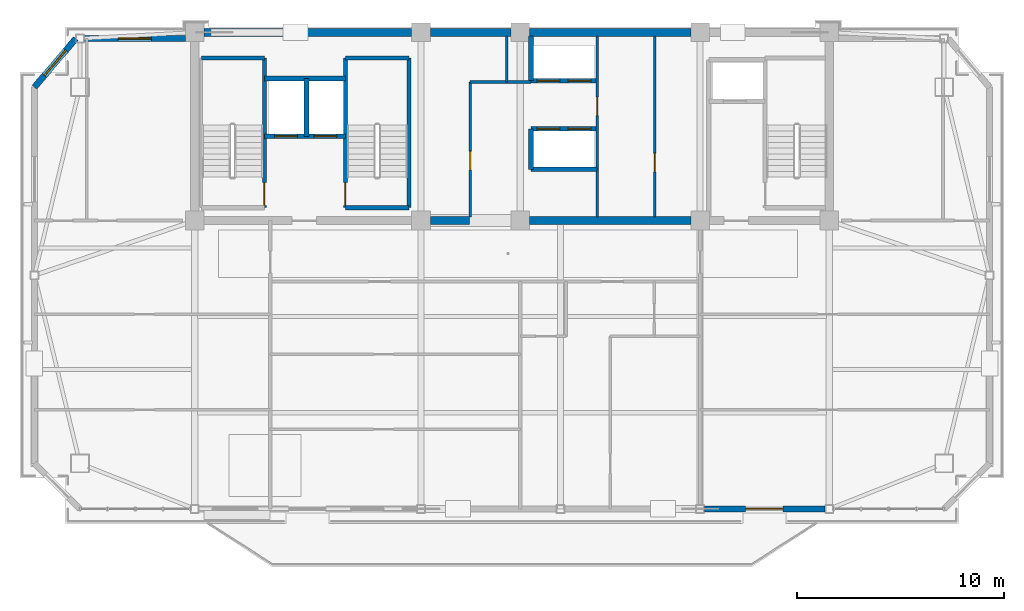
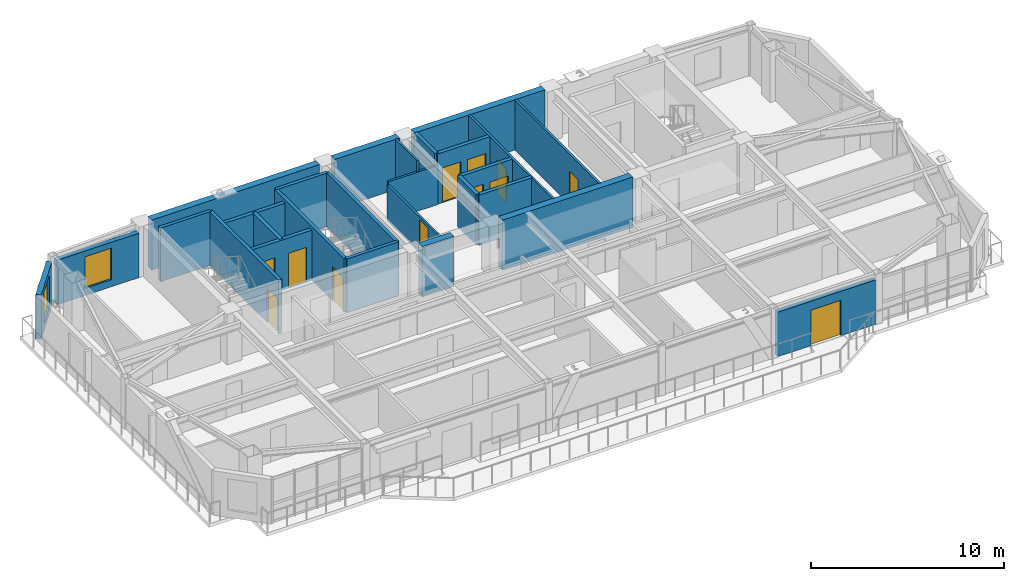
# One storey, part 7 of 12: 27 walls, 12 doors, 2 windows, 14 openings.
"""IFC4 building model written with IfcOpenShell, lengths in metres."""

from ifc_helpers import new_model, si_unit, direction, frame, frame_2d, origin, place, context, subcontext, project, spatial, rectangle, extrude, source, transform, mapped, material, layer, layer_set, type_object, element, fill, save


model = new_model("IFC4")

# Units and contexts
model_context = context("Model", 3, precision=1e-05, world=origin(), true_north=direction((0.0, 1.0)))
body_context = subcontext(model_context, "Body", "Model", "MODEL_VIEW")
ifc_project = project(units=[si_unit("LENGTHUNIT", "METRE"), si_unit("AREAUNIT", "SQUARE_METRE"), si_unit("VOLUMEUNIT", "CUBIC_METRE"), si_unit("PLANEANGLEUNIT", "RADIAN"), si_unit("MASSUNIT", "GRAM", prefix="KILO")], contexts=[model_context])

# Site, building, storey
site_placement = place(None, origin())
site = spatial("IfcSite", under=ifc_project, at=site_placement, CompositionType="ELEMENT")
building_placement = place(site_placement, origin())
building = spatial("IfcBuilding", under=site, at=building_placement, Name="Giltprow Tower", CompositionType="ELEMENT")
storey_placement = place(building_placement, frame((0.0, 0.0, 345.89990234375)))
storey = spatial("IfcBuildingStorey", under=building, at=storey_placement, Name="L90", CompositionType="ELEMENT", Elevation=345.89990234375)

# Wall, opening, window
ifc_material_1 = material(Name="Precast concrete C40", Category="concrete")
ifc_layer_1 = layer(ifc_material_1, 0.300048828125, Name="Precast concrete C40")
ifc_layer_set_1 = layer_set([ifc_layer_1], Name="Precast concrete C40")
wall_type_1 = type_object("IfcWallType", Name="EW-NOTCH-CHAMFER-300", PredefinedType="SOLIDWALL", material=ifc_layer_set_1)
wall_1_placement = place(storey_placement, frame((14.10009765625, 46.25, 0.0), z_axis=(0.0, 0.0, 1.0), x_axis=(-0.648103010114, -0.761552682538, 0.0)))
wall_1 = element("IfcWall", 1, at=wall_1_placement, inside=storey, type_object=wall_type_1, Name="L90 Corner Notch Wall NW", PredefinedType="SOLIDWALL", context=body_context, shape_type="SweptSolid", body=[
    extrude(rectangle(XDim=3.0859375, YDim=0.300048828125, at=frame_2d((1.54296875, 0.0))), origin(), (0.0, 0.0, 1.0), 2.815185546875),
])
opening_1_placement = place(wall_1_placement, frame((0.742919921875, 0.0, 0.449951171875)))
opening_1 = element("IfcOpeningElement", 2, at=opening_1_placement, cuts=wall_1, Name="Opening WN17", PredefinedType="OPENING", context=body_context, shape_type="SweptSolid", body=[
    extrude(rectangle(XDim=1.60009765625, YDim=2.0, at=frame_2d((0.800048828125, 1.0))), frame((0.0, 0.159912109375, 0.0), z_axis=(0.0, -1.0, 0.0), x_axis=(1.0, 0.0, 0.0)), (0.0, 0.0, 1.0), 0.320068359375),
])
ifc_material_2 = material(Name="Insulated glass", Category="glass")
window_type = type_object("IfcWindowType", Name="WN-COR-1600x2000", PartitioningType="SINGLE_PANEL", PredefinedType="WINDOW", material=ifc_material_2)
shared_shape_1 = source(origin(), body_context, "Body", "SweptSolid", [
    extrude(rectangle(XDim=1.60009765625, YDim=2.0, at=frame_2d((0.800048828125, 1.0))), frame((0.0, 0.030029296875, 0.0), z_axis=(0.0, -1.0, 0.0), x_axis=(1.0, 0.0, 0.0)), (0.0, 0.0, 1.0), 0.06005859375),
])
window_1_placement = place(opening_1_placement, origin())
window_1 = element("IfcWindow", 3, at=window_1_placement, inside=storey, type_object=window_type, Name="L90 Corner Notch Window NW", OverallHeight=2.0, OverallWidth=1.60009765625, PartitioningType="SINGLE_PANEL", PredefinedType="WINDOW", context=body_context, shape_type="MappedRepresentation", body=[
    mapped(shared_shape_1, transform((0.0, 0.0, 0.0), x_axis=(1.0, 0.0, 0.0), y_axis=(0.0, 1.0, 0.0), z_axis=(0.0, 0.0, 1.0), scale=1.0)),
])
fill(opening_1, window_1)

# Wall, opening, door
ifc_layer_2 = layer(ifc_material_1, 0.280029296875, Name="Precast concrete C40")
ifc_layer_set_2 = layer_set([ifc_layer_2], Name="Precast concrete C40")
wall_type_2 = type_object("IfcWallType", Name="EW-TOW-BRONZE-280", PredefinedType="SOLIDWALL", material=ifc_layer_set_2)
wall_2_placement = place(storey_placement, frame((44.5, 23.5, 0.0), z_axis=(0.0, 0.0, 1.0), x_axis=(1.0, 0.0, 0.0)))
wall_2 = element("IfcWall", 4, at=wall_2_placement, inside=storey, type_object=wall_type_2, Name="L90 South Expressed Frame Wall 5", PredefinedType="SOLIDWALL", context=body_context, shape_type="SweptSolid", body=[
    extrude(rectangle(XDim=5.85009765625, YDim=0.280029296875, at=frame_2d((2.925048828125, 0.0))), origin(), (0.0, 0.0, 1.0), 2.815185546875),
])
opening_2_placement = place(wall_2_placement, frame((2.0, 0.0, 0.0)))
opening_2 = element("IfcOpeningElement", 5, at=opening_2_placement, cuts=wall_2, Name="Opening ED25", PredefinedType="OPENING", context=body_context, shape_type="SweptSolid", body=[
    extrude(rectangle(XDim=1.800048828125, YDim=2.25, at=frame_2d((0.89990234375, 1.125))), frame((0.0, 0.14990234375, 0.0), z_axis=(0.0, -1.0, 0.0), x_axis=(1.0, 0.0, 0.0)), (0.0, 0.0, 1.0), 0.300048828125),
])
ifc_material_3 = material(Name="Anodized bronze and glass", Category="glass")
door_type_1 = type_object("IfcDoorType", Name="DR-BALC-SLIDE-1800", OperationType="SLIDING_TO_LEFT", PredefinedType="DOOR", material=ifc_material_3)
shared_shape_2 = source(origin(), body_context, "Body", "SweptSolid", [
    extrude(rectangle(XDim=1.800048828125, YDim=2.25, at=frame_2d((0.89990234375, 1.125))), frame((0.0, 0.02490234375, 0.0), z_axis=(0.0, -1.0, 0.0), x_axis=(1.0, 0.0, 0.0)), (0.0, 0.0, 1.0), 0.050048828125),
])
door_1_placement = place(opening_2_placement, origin())
door_1 = element("IfcDoor", 6, at=door_1_placement, inside=storey, type_object=door_type_1, Name="L90 Waterfront Balcony Sliding Door 2", OperationType="SLIDING_TO_LEFT", OverallHeight=2.25, OverallWidth=1.800048828125, PredefinedType="DOOR", context=body_context, shape_type="MappedRepresentation", body=[
    mapped(shared_shape_2, transform((0.0, 0.0, 0.0), x_axis=(1.0, 0.0, 0.0), y_axis=(0.0, 1.0, 0.0), z_axis=(0.0, 0.0, 1.0), scale=1.0)),
])
fill(opening_2, door_1)

# Wall, opening, window
wall_3_placement = place(storey_placement, frame((14.5, 46.25, 0.0), z_axis=(0.0, 0.0, 1.0), x_axis=(1.0, 0.0, 0.0)))
wall_3 = element("IfcWall", 7, at=wall_3_placement, inside=storey, type_object=wall_type_2, Name="L90 North-West Wing Wall", PredefinedType="SOLIDWALL", context=body_context, shape_type="SweptSolid", body=[
    extrude(rectangle(XDim=4.89990234375, YDim=0.280029296875, at=frame_2d((2.449951171875, 0.0))), origin(), (0.0, 0.0, 1.0), 2.815185546875),
])
opening_3_placement = place(wall_3_placement, frame((1.64990234375, 0.0, 0.449951171875)))
opening_3 = element("IfcOpeningElement", 8, at=opening_3_placement, cuts=wall_3, Name="Opening WN17", PredefinedType="OPENING", context=body_context, shape_type="SweptSolid", body=[
    extrude(rectangle(XDim=1.60009765625, YDim=2.0, at=frame_2d((0.800048828125, 1.0))), frame((0.0, 0.14990234375, 0.0), z_axis=(0.0, -1.0, 0.0), x_axis=(1.0, 0.0, 0.0)), (0.0, 0.0, 1.0), 0.300048828125),
])
window_2_placement = place(opening_3_placement, origin())
window_2 = element("IfcWindow", 9, at=window_2_placement, inside=storey, type_object=window_type, Name="L90 North-West Window", OverallHeight=2.0, OverallWidth=1.60009765625, PartitioningType="SINGLE_PANEL", PredefinedType="WINDOW", context=body_context, shape_type="MappedRepresentation", body=[
    mapped(shared_shape_1, transform((0.0, 0.0, 0.0), x_axis=(1.0, 0.0, 0.0), y_axis=(0.0, 1.0, 0.0), z_axis=(0.0, 0.0, 1.0), scale=1.0)),
])
fill(opening_3, window_2)

# Wall, openings, doors
ifc_material_4 = material(Name="Concrete C40", Category="concrete")
ifc_layer_3 = layer(ifc_material_4, 0.219970703125, Name="Concrete C40")
ifc_layer_set_3 = layer_set([ifc_layer_3], Name="Concrete C40")
wall_type_3 = type_object("IfcWallType", Name="IW-SHAFT-220", PredefinedType="SOLIDWALL", material=ifc_layer_set_3)
wall_4_placement = place(storey_placement, frame((23.219970703125, 41.52001953125, 0.0), z_axis=(0.0, 0.0, 1.0), x_axis=(1.0, 0.0, 0.0)))
wall_4 = element("IfcWall", 10, at=wall_4_placement, inside=storey, type_object=wall_type_3, Name="L90 FFL1 and Service Lift Front Wall", PredefinedType="SOLIDWALL", context=body_context, shape_type="SweptSolid", body=[
    extrude(rectangle(XDim=3.919921875, YDim=0.219970703125, at=frame_2d((1.9599609375, 0.0))), origin(), (0.0, 0.0, 1.0), 3.18505859375),
])
opening_4_placement = place(wall_4_placement, frame((0.5, 0.0, 0.0)))
opening_4 = element("IfcOpeningElement", 11, at=opening_4_placement, cuts=wall_4, Name="Opening LD-11", PredefinedType="OPENING", context=body_context, shape_type="SweptSolid", body=[
    extrude(rectangle(XDim=1.10009765625, YDim=2.199951171875, at=frame_2d((0.550048828125, 1.10009765625))), frame((0.0, 0.119873046875, 0.0), z_axis=(0.0, -1.0, 0.0), x_axis=(1.0, 0.0, 0.0)), (0.0, 0.0, 1.0), 0.239990234375),
])
opening_5_placement = place(wall_4_placement, frame((2.39990234375, 0.0, 0.0)))
opening_5 = element("IfcOpeningElement", 12, at=opening_5_placement, cuts=wall_4, Name="Opening LD-11", PredefinedType="OPENING", context=body_context, shape_type="SweptSolid", body=[
    extrude(rectangle(XDim=1.10009765625, YDim=2.199951171875, at=frame_2d((0.550048828125, 1.10009765625))), frame((0.0, 0.119873046875, 0.0), z_axis=(0.0, -1.0, 0.0), x_axis=(1.0, 0.0, 0.0)), (0.0, 0.0, 1.0), 0.239990234375),
])
ifc_material_5 = material(Name="Stainless steel", Category="steel")
door_type_2 = type_object("IfcDoorType", Name="DR-LIFT-LD1100", OperationType="SLIDING_TO_LEFT", PredefinedType="DOOR", material=ifc_material_5)
shared_shape_3 = source(origin(), body_context, "Body", "SweptSolid", [
    extrude(rectangle(XDim=1.10009765625, YDim=2.199951171875, at=frame_2d((0.550048828125, 1.10009765625))), frame((0.0, 0.02490234375, 0.0), z_axis=(0.0, -1.0, 0.0), x_axis=(1.0, 0.0, 0.0)), (0.0, 0.0, 1.0), 0.050048828125),
])
door_2_placement = place(opening_4_placement, origin())
door_2 = element("IfcDoor", 13, at=door_2_placement, inside=storey, type_object=door_type_2, Name="L90 FFL1 Landing Door", OperationType="SLIDING_TO_LEFT", OverallHeight=2.199951171875, OverallWidth=1.10009765625, PredefinedType="DOOR", context=body_context, shape_type="MappedRepresentation", body=[
    mapped(shared_shape_3, transform((0.0, 0.0, 0.0), x_axis=(1.0, 0.0, 0.0), y_axis=(0.0, 1.0, 0.0), z_axis=(0.0, 0.0, 1.0), scale=1.0)),
])
fill(opening_4, door_2)
door_3_placement = place(opening_5_placement, origin())
door_3 = element("IfcDoor", 14, at=door_3_placement, inside=storey, type_object=door_type_2, Name="L90 SVL1 Landing Door", OperationType="SLIDING_TO_LEFT", OverallHeight=2.199951171875, OverallWidth=1.10009765625, PredefinedType="DOOR", context=body_context, shape_type="MappedRepresentation", body=[
    mapped(shared_shape_3, transform((0.0, 0.0, 0.0), x_axis=(1.0, 0.0, 0.0), y_axis=(0.0, 1.0, 0.0), z_axis=(0.0, 0.0, 1.0), scale=1.0)),
])
fill(opening_5, door_3)

# Walls
wall_5_placement = place(storey_placement, frame((25.260009765625, 41.52001953125, 0.0), z_axis=(0.0, 0.0, 1.0), x_axis=(0.0, 1.0, 0.0)))
element("IfcWall", 15, at=wall_5_placement, inside=storey, type_object=wall_type_3, Name="L90 FFL1-SVL1 Shaft Divider", PredefinedType="SOLIDWALL", context=body_context, shape_type="SweptSolid", body=[
    extrude(rectangle(XDim=2.800048828125, YDim=0.219970703125, at=frame_2d((1.39990234375, 0.0))), origin(), (0.0, 0.0, 1.0), 3.18505859375),
])
wall_6_placement = place(storey_placement, frame((23.219970703125, 44.320068359375, 0.0), z_axis=(0.0, 0.0, 1.0), x_axis=(1.0, 0.0, 0.0)))
element("IfcWall", 16, at=wall_6_placement, inside=storey, type_object=wall_type_3, Name="L90 FFL1-SVL1 Back Shaft Wall", PredefinedType="SOLIDWALL", context=body_context, shape_type="SweptSolid", body=[
    extrude(rectangle(XDim=3.919921875, YDim=0.219970703125, at=frame_2d((1.9599609375, 0.0))), origin(), (0.0, 0.0, 1.0), 3.18505859375),
])

# Wall, openings, doors
wall_7_placement = place(storey_placement, frame((36.1201171875, 44.219970703125, 0.0), z_axis=(0.0, 0.0, 1.0), x_axis=(1.0, 0.0, 0.0)))
wall_7 = element("IfcWall", 17, at=wall_7_placement, inside=storey, type_object=wall_type_3, Name="L90 High-Rise Lift Shaft Front Wall N", PredefinedType="SOLIDWALL", context=body_context, shape_type="SweptSolid", body=[
    extrude(rectangle(XDim=3.199951171875, YDim=0.219970703125, at=frame_2d((1.60009765625, 0.0))), origin(), (0.0, 0.0, 1.0), 3.18505859375),
])
opening_6_placement = place(wall_7_placement, frame((0.300048828125, 0.0, 0.0)))
opening_6 = element("IfcOpeningElement", 18, at=opening_6_placement, cuts=wall_7, Name="Opening LD-11", PredefinedType="OPENING", context=body_context, shape_type="SweptSolid", body=[
    extrude(rectangle(XDim=1.10009765625, YDim=2.199951171875, at=frame_2d((0.550048828125, 1.10009765625))), frame((0.0, 0.119873046875, 0.0), z_axis=(0.0, -1.0, 0.0), x_axis=(1.0, 0.0, 0.0)), (0.0, 0.0, 1.0), 0.239990234375),
])
opening_7_placement = place(wall_7_placement, frame((1.7900390625, 0.0, 0.0)))
opening_7 = element("IfcOpeningElement", 19, at=opening_7_placement, cuts=wall_7, Name="Opening LD-11", PredefinedType="OPENING", context=body_context, shape_type="SweptSolid", body=[
    extrude(rectangle(XDim=1.10009765625, YDim=2.199951171875, at=frame_2d((0.550048828125, 1.10009765625))), frame((0.0, 0.119873046875, 0.0), z_axis=(0.0, -1.0, 0.0), x_axis=(1.0, 0.0, 0.0)), (0.0, 0.0, 1.0), 0.239990234375),
])
door_4_placement = place(opening_6_placement, origin())
door_4 = element("IfcDoor", 20, at=door_4_placement, inside=storey, type_object=door_type_2, Name="L90 PL-H1 Landing Door", OperationType="SLIDING_TO_LEFT", OverallHeight=2.199951171875, OverallWidth=1.10009765625, PredefinedType="DOOR", context=body_context, shape_type="MappedRepresentation", body=[
    mapped(shared_shape_3, transform((0.0, 0.0, 0.0), x_axis=(1.0, 0.0, 0.0), y_axis=(0.0, 1.0, 0.0), z_axis=(0.0, 0.0, 1.0), scale=1.0)),
])
fill(opening_6, door_4)
door_5_placement = place(opening_7_placement, origin())
door_5 = element("IfcDoor", 21, at=door_5_placement, inside=storey, type_object=door_type_2, Name="L90 PL-H2 Landing Door", OperationType="SLIDING_TO_LEFT", OverallHeight=2.199951171875, OverallWidth=1.10009765625, PredefinedType="DOOR", context=body_context, shape_type="MappedRepresentation", body=[
    mapped(shared_shape_3, transform((0.0, 0.0, 0.0), x_axis=(1.0, 0.0, 0.0), y_axis=(0.0, 1.0, 0.0), z_axis=(0.0, 0.0, 1.0), scale=1.0)),
])
fill(opening_7, door_5)

wall_8_placement = place(storey_placement, frame((36.1201171875, 41.8798828125, 0.0), z_axis=(0.0, 0.0, 1.0), x_axis=(1.0, 0.0, 0.0)))
wall_8 = element("IfcWall", 22, at=wall_8_placement, inside=storey, type_object=wall_type_3, Name="L90 High-Rise Lift Shaft Front Wall S", PredefinedType="SOLIDWALL", context=body_context, shape_type="SweptSolid", body=[
    extrude(rectangle(XDim=3.199951171875, YDim=0.219970703125, at=frame_2d((1.60009765625, 0.0))), origin(), (0.0, 0.0, 1.0), 3.18505859375),
])
opening_8_placement = place(wall_8_placement, frame((0.300048828125, 0.0, 0.0)))
opening_8 = element("IfcOpeningElement", 23, at=opening_8_placement, cuts=wall_8, Name="Opening LD-11", PredefinedType="OPENING", context=body_context, shape_type="SweptSolid", body=[
    extrude(rectangle(XDim=1.10009765625, YDim=2.199951171875, at=frame_2d((0.550048828125, 1.10009765625))), frame((0.0, 0.119873046875, 0.0), z_axis=(0.0, -1.0, 0.0), x_axis=(1.0, 0.0, 0.0)), (0.0, 0.0, 1.0), 0.239990234375),
])
opening_9_placement = place(wall_8_placement, frame((1.7900390625, 0.0, 0.0)))
opening_9 = element("IfcOpeningElement", 24, at=opening_9_placement, cuts=wall_8, Name="Opening LD-11", PredefinedType="OPENING", context=body_context, shape_type="SweptSolid", body=[
    extrude(rectangle(XDim=1.10009765625, YDim=2.199951171875, at=frame_2d((0.550048828125, 1.10009765625))), frame((0.0, 0.119873046875, 0.0), z_axis=(0.0, -1.0, 0.0), x_axis=(1.0, 0.0, 0.0)), (0.0, 0.0, 1.0), 0.239990234375),
])
door_6_placement = place(opening_8_placement, origin())
door_6 = element("IfcDoor", 25, at=door_6_placement, inside=storey, type_object=door_type_2, Name="L90 PL-H3 Landing Door", OperationType="SLIDING_TO_LEFT", OverallHeight=2.199951171875, OverallWidth=1.10009765625, PredefinedType="DOOR", context=body_context, shape_type="MappedRepresentation", body=[
    mapped(shared_shape_3, transform((0.0, 0.0, 0.0), x_axis=(1.0, 0.0, 0.0), y_axis=(0.0, 1.0, 0.0), z_axis=(0.0, 0.0, 1.0), scale=1.0)),
])
fill(opening_8, door_6)
door_7_placement = place(opening_9_placement, origin())
door_7 = element("IfcDoor", 26, at=door_7_placement, inside=storey, type_object=door_type_2, Name="L90 PL-H4 Landing Door", OperationType="SLIDING_TO_LEFT", OverallHeight=2.199951171875, OverallWidth=1.10009765625, PredefinedType="DOOR", context=body_context, shape_type="MappedRepresentation", body=[
    mapped(shared_shape_3, transform((0.0, 0.0, 0.0), x_axis=(1.0, 0.0, 0.0), y_axis=(0.0, 1.0, 0.0), z_axis=(0.0, 0.0, 1.0), scale=1.0)),
])
fill(opening_9, door_7)

# Walls
wall_9_placement = place(storey_placement, frame((36.1201171875, 39.919921875, 0.0), z_axis=(0.0, 0.0, 1.0), x_axis=(1.0, 0.0, 0.0)))
element("IfcWall", 27, at=wall_9_placement, inside=storey, type_object=wall_type_3, Name="L90 High-Rise South Lift Back Wall", PredefinedType="SOLIDWALL", context=body_context, shape_type="SweptSolid", body=[
    extrude(rectangle(XDim=3.199951171875, YDim=0.219970703125, at=frame_2d((1.60009765625, 0.0))), origin(), (0.0, 0.0, 1.0), 3.18505859375),
])
wall_10_placement = place(storey_placement, frame((36.1201171875, 39.919921875, 0.0), z_axis=(0.0, 0.0, 1.0), x_axis=(0.0, 1.0, 0.0)))
element("IfcWall", 28, at=wall_10_placement, inside=storey, type_object=wall_type_3, Name="L90 High-Rise South Lift West Closure", PredefinedType="SOLIDWALL", context=body_context, shape_type="SweptSolid", body=[
    extrude(rectangle(XDim=1.9599609375, YDim=0.219970703125, at=frame_2d((0.97998046875, 0.0))), origin(), (0.0, 0.0, 1.0), 3.18505859375),
])
wall_11_placement = place(storey_placement, frame((36.1201171875, 44.219970703125, 0.0), z_axis=(0.0, 0.0, 1.0), x_axis=(0.0, 1.0, 0.0)))
element("IfcWall", 29, at=wall_11_placement, inside=storey, type_object=wall_type_3, Name="L90 High-Rise North Lift West Closure", PredefinedType="SOLIDWALL", context=body_context, shape_type="SweptSolid", body=[
    extrude(rectangle(XDim=2.150146484375, YDim=0.219970703125, at=frame_2d((1.0751953125, 0.0))), origin(), (0.0, 0.0, 1.0), 3.18505859375),
])

# Wall, opening, door
ifc_layer_4 = layer(ifc_material_4, 0.199951171875, Name="Concrete C40")
ifc_layer_set_4 = layer_set([ifc_layer_4], Name="Concrete C40")
wall_type_4 = type_object("IfcWallType", Name="IW-STAIR-200", PredefinedType="SOLIDWALL", material=ifc_layer_set_4)
wall_12_placement = place(storey_placement, frame((23.219970703125, 38.070068359375, 0.0), z_axis=(0.0, 0.0, 1.0), x_axis=(0.0, 1.0, 0.0)))
wall_12 = element("IfcWall", 30, at=wall_12_placement, inside=storey, type_object=wall_type_4, Name="L90 Stair ST-1 East Bearing Wall", PredefinedType="SOLIDWALL", context=body_context, shape_type="SweptSolid", body=[
    extrude(rectangle(XDim=7.25, YDim=0.199951171875, at=frame_2d((3.625, 0.0))), origin(), (0.0, 0.0, 1.0), 3.400146484375),
])
opening_10_placement = place(wall_12_placement, frame((0.110107421875, 0.0, 0.0)))
opening_10 = element("IfcOpeningElement", 31, at=opening_10_placement, cuts=wall_12, Name="Opening ID33", PredefinedType="OPENING", context=body_context, shape_type="SweptSolid", body=[
    extrude(rectangle(XDim=1.10009765625, YDim=2.14990234375, at=frame_2d((0.550048828125, 1.074951171875))), frame((0.0, 0.10986328125, 0.0), z_axis=(0.0, -1.0, 0.0), x_axis=(1.0, 0.0, 0.0)), (0.0, 0.0, 1.0), 0.219970703125),
])
ifc_material_6 = material(Name="Steel fire leaf", Category="steel")
door_type_3 = type_object("IfcDoorType", Name="DR-STAIR-1100", OperationType="SINGLE_SWING_LEFT", PredefinedType="DOOR", material=ifc_material_6)
shared_shape_4 = source(origin(), body_context, "Body", "SweptSolid", [
    extrude(rectangle(XDim=1.10009765625, YDim=2.14990234375, at=frame_2d((0.550048828125, 1.074951171875))), frame((0.0, 0.02490234375, 0.0), z_axis=(0.0, -1.0, 0.0), x_axis=(1.0, 0.0, 0.0)), (0.0, 0.0, 1.0), 0.050048828125),
])
door_8_placement = place(opening_10_placement, origin())
door_8 = element("IfcDoor", 32, at=door_8_placement, inside=storey, type_object=door_type_3, Name="L90 Stair ST-1 Fire Door", OperationType="SINGLE_SWING_RIGHT", OverallHeight=2.14990234375, OverallWidth=1.10009765625, PredefinedType="DOOR", context=body_context, shape_type="MappedRepresentation", body=[
    mapped(shared_shape_4, transform((0.0, 0.0, 0.0), x_axis=(1.0, 0.0, 0.0), y_axis=(0.0, 1.0, 0.0), z_axis=(0.0, 0.0, 1.0), scale=1.0)),
])
fill(opening_10, door_8)

# Wall
wall_13_placement = place(storey_placement, frame((20.169921875, 45.320068359375, 0.0), z_axis=(0.0, 0.0, 1.0), x_axis=(1.0, 0.0, 0.0)))
element("IfcWall", 33, at=wall_13_placement, inside=storey, type_object=wall_type_4, Name="L90 Stair ST-1 North Bearing Wall", PredefinedType="SOLIDWALL", context=body_context, shape_type="SweptSolid", body=[
    extrude(rectangle(XDim=3.050048828125, YDim=0.199951171875, at=frame_2d((1.52490234375, 0.0))), origin(), (0.0, 0.0, 1.0), 3.400146484375),
])

# Wall, opening, door
wall_14_placement = place(storey_placement, frame((27.139892578125, 38.070068359375, 0.0), z_axis=(0.0, 0.0, 1.0), x_axis=(0.0, 1.0, 0.0)))
wall_14 = element("IfcWall", 34, at=wall_14_placement, inside=storey, type_object=wall_type_4, Name="L90 Stair ST-2 West Bearing Wall", PredefinedType="SOLIDWALL", context=body_context, shape_type="SweptSolid", body=[
    extrude(rectangle(XDim=7.25, YDim=0.199951171875, at=frame_2d((3.625, 0.0))), origin(), (0.0, 0.0, 1.0), 3.400146484375),
])
opening_11_placement = place(wall_14_placement, frame((0.110107421875, 0.0, 0.0)))
opening_11 = element("IfcOpeningElement", 35, at=opening_11_placement, cuts=wall_14, Name="Opening ID33", PredefinedType="OPENING", context=body_context, shape_type="SweptSolid", body=[
    extrude(rectangle(XDim=1.10009765625, YDim=2.14990234375, at=frame_2d((0.550048828125, 1.074951171875))), frame((0.0, 0.10986328125, 0.0), z_axis=(0.0, -1.0, 0.0), x_axis=(1.0, 0.0, 0.0)), (0.0, 0.0, 1.0), 0.219970703125),
])
door_9_placement = place(opening_11_placement, origin())
door_9 = element("IfcDoor", 36, at=door_9_placement, inside=storey, type_object=door_type_3, Name="L90 Stair ST-2 Fire Door", OperationType="SINGLE_SWING_LEFT", OverallHeight=2.14990234375, OverallWidth=1.10009765625, PredefinedType="DOOR", context=body_context, shape_type="MappedRepresentation", body=[
    mapped(shared_shape_4, transform((0.0, 0.0, 0.0), x_axis=(1.0, 0.0, 0.0), y_axis=(0.0, 1.0, 0.0), z_axis=(0.0, 0.0, 1.0), scale=1.0)),
])
fill(opening_11, door_9)

# Walls
wall_15_placement = place(storey_placement, frame((30.219970703125, 38.070068359375, 0.0), z_axis=(0.0, 0.0, 1.0), x_axis=(0.0, 1.0, 0.0)))
element("IfcWall", 37, at=wall_15_placement, inside=storey, type_object=wall_type_4, Name="L90 Stair ST-2 East Bearing Wall", PredefinedType="SOLIDWALL", context=body_context, shape_type="SweptSolid", body=[
    extrude(rectangle(XDim=7.25, YDim=0.199951171875, at=frame_2d((3.625, 0.0))), origin(), (0.0, 0.0, 1.0), 3.400146484375),
])
for number, where, z_axis, x_axis, name in (
    (38, (27.139892578125, 45.320068359375, 0.0), (0.0, 0.0, 1.0), (1.0, 0.0, 0.0), "L90 Stair ST-2 North Bearing Wall"),
    (39, (27.139892578125, 38.070068359375, 0.0), (0.0, 0.0, 1.0), (1.0, 0.0, 0.0), "L90 Stair ST-2 South Bearing Wall"),
):
    element("IfcWall", number, at=place(storey_placement, frame(where, z_axis=z_axis, x_axis=x_axis)), inside=storey, type_object=wall_type_4, Name=name, PredefinedType="SOLIDWALL", context=body_context, shape_type="SweptSolid", body=[
        extrude(rectangle(XDim=3.080078125, YDim=0.199951171875, at=frame_2d((1.5400390625, 0.0))), origin(), (0.0, 0.0, 1.0), 3.400146484375),
    ])

# Wall, opening, door
ifc_material_7 = material(Name="Concrete C30", Category="concrete")
ifc_layer_5 = layer(ifc_material_7, 0.1298828125, Name="Concrete C30")
ifc_layer_set_5 = layer_set([ifc_layer_5], Name="Concrete C30")
wall_type_5 = type_object("IfcWallType", Name="IW-WET-130", PredefinedType="PARTITIONING", material=ifc_layer_set_5)
wall_16_placement = place(storey_placement, frame((33.179931640625, 37.6298828125, 0.0), z_axis=(0.0, 0.0, 1.0), x_axis=(0.0, 1.0, 0.0)))
wall_16 = element("IfcWall", 40, at=wall_16_placement, inside=storey, type_object=wall_type_5, Name="L90 Reclaimed West Core Wall", PredefinedType="PARTITIONING", context=body_context, shape_type="SweptSolid", body=[
    extrude(rectangle(XDim=6.52001953125, YDim=0.1298828125, at=frame_2d((3.260009765625, 0.0))), origin(), (0.0, 0.0, 1.0), 2.27001953125),
])
opening_12_placement = place(wall_16_placement, frame((2.27001953125, 0.0, 0.0)))
opening_12 = element("IfcOpeningElement", 41, at=opening_12_placement, cuts=wall_16, Name="Opening ID35", PredefinedType="OPENING", context=body_context, shape_type="SweptSolid", body=[
    extrude(rectangle(XDim=0.89990234375, YDim=2.10009765625, at=frame_2d((0.449951171875, 1.050048828125))), frame((0.0, 0.074951171875, 0.0), z_axis=(0.0, -1.0, 0.0), x_axis=(1.0, 0.0, 0.0)), (0.0, 0.0, 1.0), 0.14990234375),
])
door_type_4 = type_object("IfcDoorType", Name="DR-SHAFT-900", OperationType="SINGLE_SWING_LEFT", PredefinedType="DOOR", material=ifc_material_6)
shared_shape_5 = source(origin(), body_context, "Body", "SweptSolid", [
    extrude(rectangle(XDim=0.89990234375, YDim=2.10009765625, at=frame_2d((0.449951171875, 1.050048828125))), frame((0.0, 0.02490234375, 0.0), z_axis=(0.0, -1.0, 0.0), x_axis=(1.0, 0.0, 0.0)), (0.0, 0.0, 1.0), 0.050048828125),
])
door_10_placement = place(opening_12_placement, origin())
door_10 = element("IfcDoor", 42, at=door_10_placement, inside=storey, type_object=door_type_4, Name="L90 Core Staff Washroom Door", OperationType="SINGLE_SWING_LEFT", OverallHeight=2.10009765625, OverallWidth=0.89990234375, PredefinedType="DOOR", context=body_context, shape_type="MappedRepresentation", body=[
    mapped(shared_shape_5, transform((0.0, 0.0, 0.0), x_axis=(1.0, 0.0, 0.0), y_axis=(0.0, 1.0, 0.0), z_axis=(0.0, 0.0, 1.0), scale=1.0)),
])
fill(opening_12, door_10)

# Walls
wall_17_placement = place(storey_placement, frame((34.949951171875, 44.14990234375, 0.0), z_axis=(0.0, 0.0, 1.0), x_axis=(0.0, 1.0, 0.0)))
element("IfcWall", 43, at=wall_17_placement, inside=storey, type_object=wall_type_5, Name="L90 Reclaimed West Pocket Wall E", PredefinedType="PARTITIONING", context=body_context, shape_type="SweptSolid", body=[
    extrude(rectangle(XDim=2.22021484375, YDim=0.1298828125, at=frame_2d((1.110107421875, 0.0))), origin(), (0.0, 0.0, 1.0), 3.18505859375),
])
wall_18_placement = place(storey_placement, frame((33.179931640625, 44.14990234375, 0.0), z_axis=(0.0, 0.0, 1.0), x_axis=(1.0, 0.0, 0.0)))
element("IfcWall", 44, at=wall_18_placement, inside=storey, type_object=wall_type_5, Name="L90 Reclaimed West Pocket Wall S", PredefinedType="PARTITIONING", context=body_context, shape_type="SweptSolid", body=[
    extrude(rectangle(XDim=2.940185546875, YDim=0.1298828125, at=frame_2d((1.47021484375, 0.0))), origin(), (0.0, 0.0, 1.0), 2.47021484375),
])

# Wall, opening, door
wall_19_placement = place(storey_placement, frame((39.320068359375, 37.6298828125, 0.0), z_axis=(0.0, 0.0, 1.0), x_axis=(0.0, 1.0, 0.0)))
wall_19 = element("IfcWall", 45, at=wall_19_placement, inside=storey, type_object=wall_type_5, Name="L90 Reclaimed East Core Wall", PredefinedType="PARTITIONING", context=body_context, shape_type="SweptSolid", body=[
    extrude(rectangle(XDim=8.740234375, YDim=0.1298828125, at=frame_2d((4.3701171875, 0.0))), origin(), (0.0, 0.0, 1.0), 3.18505859375),
])
opening_13_placement = place(wall_19_placement, frame((4.889892578125, 0.0, 0.0)))
opening_13 = element("IfcOpeningElement", 46, at=opening_13_placement, cuts=wall_19, Name="Opening ID35", PredefinedType="OPENING", context=body_context, shape_type="SweptSolid", body=[
    extrude(rectangle(XDim=0.89990234375, YDim=2.10009765625, at=frame_2d((0.449951171875, 1.050048828125))), frame((0.0, 0.074951171875, 0.0), z_axis=(0.0, -1.0, 0.0), x_axis=(1.0, 0.0, 0.0)), (0.0, 0.0, 1.0), 0.14990234375),
])
door_11_placement = place(opening_13_placement, origin())
door_11 = element("IfcDoor", 47, at=door_11_placement, inside=storey, type_object=door_type_4, Name="L90 Core Laundry Room Door", OperationType="SINGLE_SWING_RIGHT", OverallHeight=2.10009765625, OverallWidth=0.89990234375, PredefinedType="DOOR", context=body_context, shape_type="MappedRepresentation", body=[
    mapped(shared_shape_5, transform((0.0, 0.0, 0.0), x_axis=(1.0, 0.0, 0.0), y_axis=(0.0, 1.0, 0.0), z_axis=(0.0, 0.0, 1.0), scale=1.0)),
])
fill(opening_13, door_11)

wall_20_placement = place(storey_placement, frame((42.10009765625, 37.6298828125, 0.0), z_axis=(0.0, 0.0, 1.0), x_axis=(0.0, 1.0, 0.0)))
wall_20 = element("IfcWall", 48, at=wall_20_placement, inside=storey, type_object=wall_type_5, Name="L90 East Core Vertical Divider", PredefinedType="PARTITIONING", context=body_context, shape_type="SweptSolid", body=[
    extrude(rectangle(XDim=8.740234375, YDim=0.1298828125, at=frame_2d((4.3701171875, 0.0))), origin(), (0.0, 0.0, 1.0), 3.18505859375),
])
opening_14_placement = place(wall_20_placement, frame((2.169921875, 0.0, 0.0)))
opening_14 = element("IfcOpeningElement", 49, at=opening_14_placement, cuts=wall_20, Name="Opening ID35", PredefinedType="OPENING", context=body_context, shape_type="SweptSolid", body=[
    extrude(rectangle(XDim=0.89990234375, YDim=2.10009765625, at=frame_2d((0.449951171875, 1.050048828125))), frame((0.0, 0.074951171875, 0.0), z_axis=(0.0, -1.0, 0.0), x_axis=(1.0, 0.0, 0.0)), (0.0, 0.0, 1.0), 0.14990234375),
])
door_12_placement = place(opening_14_placement, origin())
door_12 = element("IfcDoor", 50, at=door_12_placement, inside=storey, type_object=door_type_4, Name="L90 Core Trunk Room Inner Door", OperationType="SINGLE_SWING_LEFT", OverallHeight=2.10009765625, OverallWidth=0.89990234375, PredefinedType="DOOR", context=body_context, shape_type="MappedRepresentation", body=[
    mapped(shared_shape_5, transform((0.0, 0.0, 0.0), x_axis=(1.0, 0.0, 0.0), y_axis=(0.0, 1.0, 0.0), z_axis=(0.0, 0.0, 1.0), scale=1.0)),
])
fill(opening_14, door_12)

# Walls
ifc_material_8 = material(Name="Concrete C45", Category="concrete")
ifc_layer_6 = layer(ifc_material_8, 0.39990234375, Name="Concrete C45")
ifc_layer_set_6 = layer_set([ifc_layer_6], Name="Concrete C45")
wall_type_6 = type_object("IfcWallType", Name="SW-EXT-400-C45", PredefinedType="SHEAR", material=ifc_layer_set_6)
wall_21_placement = place(storey_placement, frame((20.300048828125, 46.550048828125, 0.0), z_axis=(0.0, 0.0, 1.0), x_axis=(1.0, 0.0, 0.0)))
element("IfcWall", 51, at=wall_21_placement, inside=storey, type_object=wall_type_6, Name="L90 North Rear Core Shear Wall 1", PredefinedType="SHEAR", context=body_context, shape_type="SweptSolid", body=[
    extrude(rectangle(XDim=10.050048828125, YDim=0.39990234375, at=frame_2d((5.02490234375, 0.0))), origin(), (0.0, 0.0, 1.0), 3.18505859375),
])
wall_22_placement = place(storey_placement, frame((31.25, 46.550048828125, 0.0), z_axis=(0.0, 0.0, 1.0), x_axis=(1.0, 0.0, 0.0)))
element("IfcWall", 52, at=wall_22_placement, inside=storey, type_object=wall_type_6, Name="L90 North Rear Core Shear Wall 2", PredefinedType="SHEAR", context=body_context, shape_type="SweptSolid", body=[
    extrude(rectangle(XDim=3.89990234375, YDim=0.39990234375, at=frame_2d((1.949951171875, 0.0))), origin(), (0.0, 0.0, 1.0), 3.18505859375),
])
wall_23_placement = place(storey_placement, frame((36.050048828125, 46.550048828125, 0.0), z_axis=(0.0, 0.0, 1.0), x_axis=(1.0, 0.0, 0.0)))
element("IfcWall", 53, at=wall_23_placement, inside=storey, type_object=wall_type_6, Name="L90 North Rear Core Shear Wall 3", PredefinedType="SHEAR", context=body_context, shape_type="SweptSolid", body=[
    extrude(rectangle(XDim=7.800048828125, YDim=0.39990234375, at=frame_2d((3.89990234375, 0.0))), origin(), (0.0, 0.0, 1.0), 3.18505859375),
])
ifc_layer_7 = layer(ifc_material_8, 0.39990234375, Name="Concrete C45")
ifc_layer_set_7 = layer_set([ifc_layer_7], Name="Concrete C45")
wall_type_7 = type_object("IfcWallType", Name="SW-INT-400-C45", PredefinedType="SHEAR", material=ifc_layer_set_7)
wall_24_placement = place(storey_placement, frame((31.25, 37.449951171875, 0.0), z_axis=(0.0, 0.0, 1.0), x_axis=(1.0, 0.0, 0.0)))
element("IfcWall", 54, at=wall_24_placement, inside=storey, type_object=wall_type_7, Name="L90 South Rear Core Shear Wall Mid-West", PredefinedType="SHEAR", context=body_context, shape_type="SweptSolid", body=[
    extrude(rectangle(XDim=1.89990234375, YDim=0.39990234375, at=frame_2d((0.949951171875, 0.0))), origin(), (0.0, 0.0, 1.0), 3.18505859375),
])
wall_25_placement = place(storey_placement, frame((36.050048828125, 37.449951171875, 0.0), z_axis=(0.0, 0.0, 1.0), x_axis=(1.0, 0.0, 0.0)))
element("IfcWall", 55, at=wall_25_placement, inside=storey, type_object=wall_type_7, Name="L90 South Rear Core Shear Wall Mid-East", PredefinedType="SHEAR", context=body_context, shape_type="SweptSolid", body=[
    extrude(rectangle(XDim=7.800048828125, YDim=0.39990234375, at=frame_2d((3.89990234375, 0.0))), origin(), (0.0, 0.0, 1.0), 3.18505859375),
])

save(model, "model.ifc")
